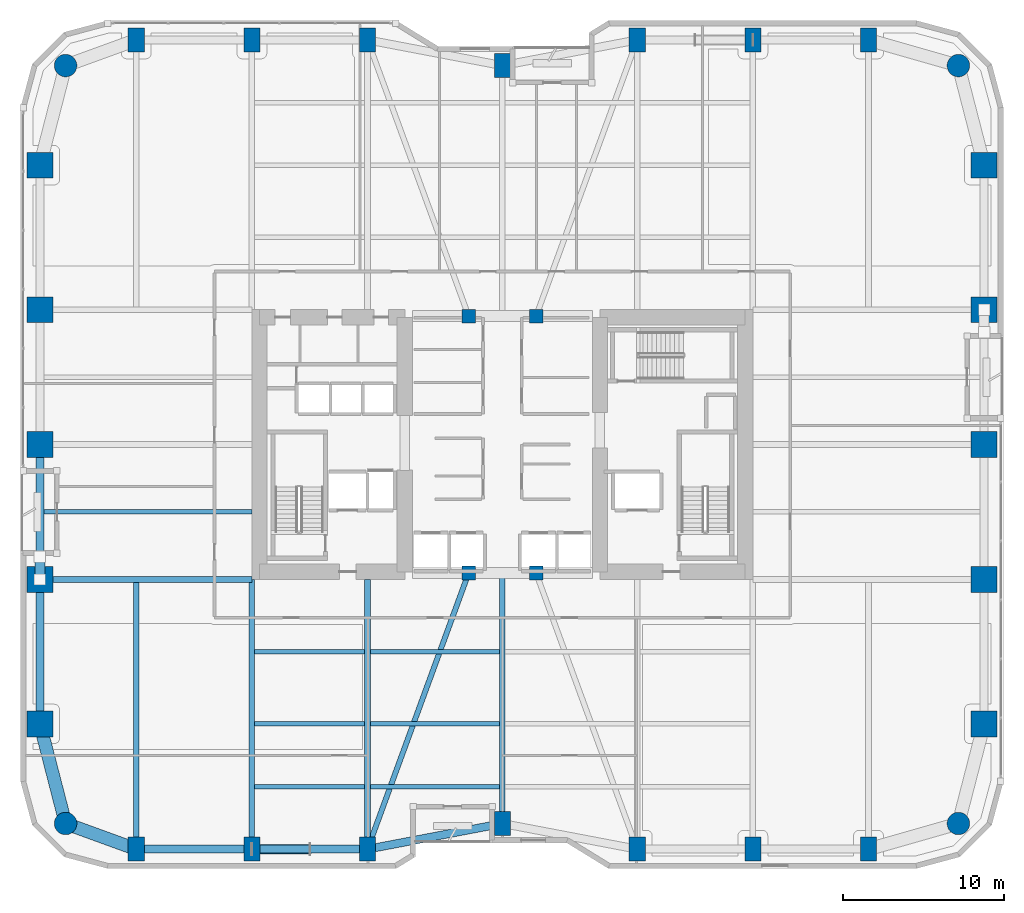
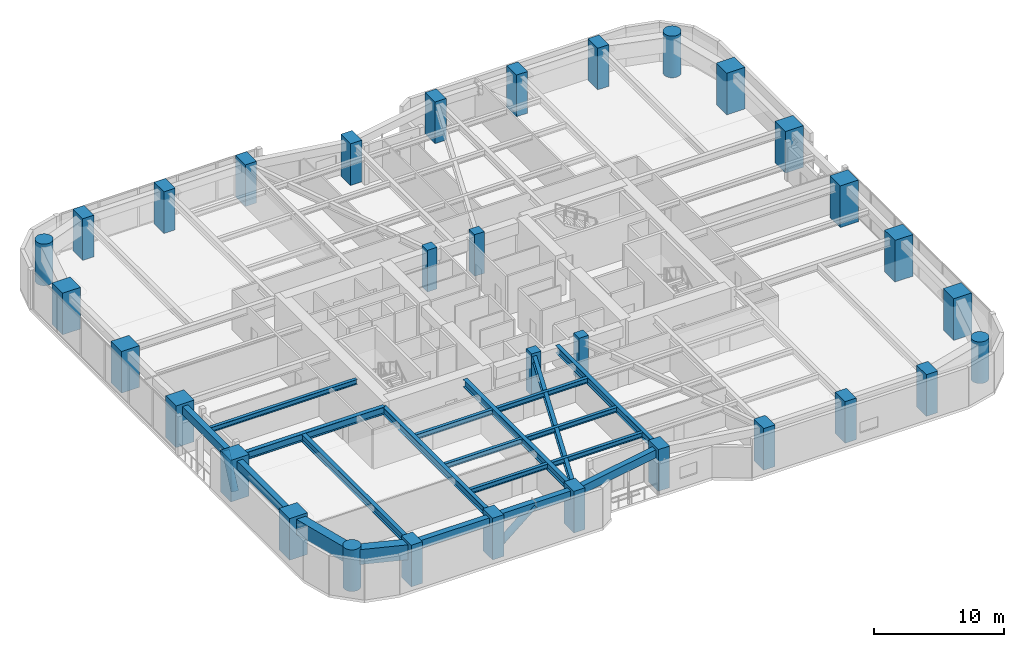
# One storey, part 1 of 28: 32 columns, 20 beams, 2 members.
"""IFC4 building model written with IfcOpenShell, lengths in metres."""

from ifc_helpers import new_model, si_unit, direction, frame, origin, origin_2d, place, context, subcontext, project, spatial, rectangle, circle, hollow_circle, i_section, extrude, material, material_profile, profile_set, type_object, element, save


model = new_model("IFC4")

# Units and contexts
model_context = context("Model", 3, precision=1e-05, world=origin(), true_north=direction((0.0, 1.0)))
body_context = subcontext(model_context, "Body", "Model", "MODEL_VIEW")
ifc_project = project(units=[si_unit("LENGTHUNIT", "METRE"), si_unit("AREAUNIT", "SQUARE_METRE"), si_unit("VOLUMEUNIT", "CUBIC_METRE"), si_unit("PLANEANGLEUNIT", "RADIAN"), si_unit("MASSUNIT", "GRAM", prefix="KILO")], contexts=[model_context])

# Site, building, storey
site_placement = place(None, origin())
site = spatial("IfcSite", under=ifc_project, at=site_placement, CompositionType="ELEMENT")
building_placement = place(site_placement, origin())
building = spatial("IfcBuilding", under=site, at=building_placement, Name="Kiyonajd Concourse Tower", CompositionType="ELEMENT")
storey_placement = place(building_placement, frame((0.0, 0.0, 33.300048828125)))
storey = spatial("IfcBuildingStorey", under=building, at=storey_placement, Name="L09", CompositionType="ELEMENT", Elevation=33.300048828125)

# Columns
ifc_material_1 = material(Name="Concrete C80/95", Category="concrete")
ifc_material_profile_1 = material_profile(ifc_material_1, rectangle(XDim=1.0, YDim=1.5, at=origin_2d()), Name="RC-1500x1000")
ifc_profile_set_1 = profile_set([ifc_material_profile_1], Name="Concrete C80/95")
column_type_1 = type_object("IfcColumnType", Name="CL-BLADE-1500", PredefinedType="COLUMN", material=ifc_profile_set_1)
for number, where, z_axis, x_axis, name in (
    (1, (25.199951171875, 10.800048828125, 0.0), (0.0, 0.0, 1.0), (1.0, 0.0, 0.0), "L09 Perimeter Bundled Tube Column"),
    (2, (25.199951171875, 61.199951171875, 0.0), (0.0, 0.0, 1.0), (1.0, 0.0, 0.0), "L09 Perimeter Bundled Tube Column"),
    (3, (32.39990234375, 10.800048828125, 0.0), (0.0, 0.0, 1.0), (1.0, 0.0, 0.0), "L09 Perimeter Bundled Tube Column"),
    (4, (32.39990234375, 61.199951171875, 0.0), (0.0, 0.0, 1.0), (1.0, 0.0, 0.0), "L09 Perimeter Bundled Tube Column"),
    (5, (39.60009765625, 10.800048828125, 0.0), (0.0, 0.0, 1.0), (1.0, 0.0, 0.0), "L09 Perimeter Bundled Tube Column"),
    (6, (39.60009765625, 61.199951171875, 0.0), (0.0, 0.0, 1.0), (1.0, 0.0, 0.0), "L09 Perimeter Bundled Tube Column"),
    (7, (48.0, 12.39990234375, 0.0), (0.0, 0.0, 1.0), (1.0, 0.0, 0.0), "L09 Perimeter Bundled Tube Column"),
    (8, (48.0, 59.60009765625, 0.0), (0.0, 0.0, 1.0), (1.0, 0.0, 0.0), "L09 Perimeter Bundled Tube Column"),
    (9, (56.39990234375, 10.800048828125, 0.0), (0.0, 0.0, 1.0), (1.0, 0.0, 0.0), "L09 Perimeter Bundled Tube Column"),
    (10, (56.39990234375, 61.199951171875, 0.0), (0.0, 0.0, 1.0), (1.0, 0.0, 0.0), "L09 Perimeter Bundled Tube Column"),
    (11, (63.60009765625, 10.800048828125, 0.0), (0.0, 0.0, 1.0), (1.0, 0.0, 0.0), "L09 Perimeter Bundled Tube Column"),
    (12, (63.60009765625, 61.199951171875, 0.0), (0.0, 0.0, 1.0), (1.0, 0.0, 0.0), "L09 Perimeter Bundled Tube Column"),
    (13, (70.800048828125, 10.800048828125, 0.0), (0.0, 0.0, 1.0), (1.0, 0.0, 0.0), "L09 Perimeter Bundled Tube Column"),
    (14, (70.800048828125, 61.199951171875, 0.0), (0.0, 0.0, 1.0), (1.0, 0.0, 0.0), "L09 Perimeter Bundled Tube Column"),
):
    element("IfcColumn", number, at=place(storey_placement, frame(where, z_axis=z_axis, x_axis=x_axis)), inside=storey, type_object=column_type_1, Name=name, PredefinedType="COLUMN", context=body_context, shape_type="SweptSolid", body=[
        extrude(rectangle(XDim=1.0, YDim=1.5, at=origin_2d()), origin(), (0.0, 0.0, 1.0), 3.89990234375),
    ])
ifc_material_profile_2 = material_profile(ifc_material_1, circle(Radius=0.699951171875, at=origin_2d()), Name="RCC-D1400")
ifc_profile_set_2 = profile_set([ifc_material_profile_2], Name="Concrete C80/95")
column_type_2 = type_object("IfcColumnType", Name="CL-RND-1400", PredefinedType="COLUMN", material=ifc_profile_set_2)
for number, where, z_axis, x_axis, name in (
    (15, (20.800048828125, 12.39990234375, 0.0), (0.0, 0.0, 1.0), (1.0, 0.0, 0.0), "L09 Bundled Tube Corner Column South West"),
    (16, (76.39990234375, 12.39990234375, 0.0), (0.0, 0.0, 1.0), (1.0, 0.0, 0.0), "L09 Bundled Tube Corner Column South East"),
    (17, (76.39990234375, 59.60009765625, 0.0), (0.0, 0.0, 1.0), (1.0, 0.0, 0.0), "L09 Bundled Tube Corner Column North East"),
    (18, (20.800048828125, 59.60009765625, 0.0), (0.0, 0.0, 1.0), (1.0, 0.0, 0.0), "L09 Bundled Tube Corner Column North West"),
):
    element("IfcColumn", number, at=place(storey_placement, frame(where, z_axis=z_axis, x_axis=x_axis)), inside=storey, type_object=column_type_2, Name=name, PredefinedType="COLUMN", context=body_context, shape_type="SweptSolid", body=[
        extrude(circle(Radius=0.699951171875, at=origin_2d()), origin(), (0.0, 0.0, 1.0), 3.89990234375),
    ])
ifc_material_profile_3 = material_profile(ifc_material_1, rectangle(XDim=1.60009765625, YDim=1.60009765625, at=origin_2d()), Name="RC-1600x1600")
ifc_profile_set_3 = profile_set([ifc_material_profile_3], Name="Concrete C80/95")
column_type_3 = type_object("IfcColumnType", Name="CL-TUBE-1600", PredefinedType="COLUMN", material=ifc_profile_set_3)
for number, where, z_axis, x_axis, name in (
    (19, (19.199951171875, 18.60009765625, 0.0), (0.0, 0.0, 1.0), (1.0, 0.0, 0.0), "L09 Perimeter Bundled Tube Column"),
    (20, (78.0, 18.60009765625, 0.0), (0.0, 0.0, 1.0), (1.0, 0.0, 0.0), "L09 Perimeter Bundled Tube Column"),
    (21, (19.199951171875, 27.60009765625, 0.0), (0.0, 0.0, 1.0), (1.0, 0.0, 0.0), "L09 Perimeter Bundled Tube Column"),
    (22, (78.0, 27.60009765625, 0.0), (0.0, 0.0, 1.0), (1.0, 0.0, 0.0), "L09 Perimeter Bundled Tube Column"),
    (23, (19.199951171875, 36.0, 0.0), (0.0, 0.0, 1.0), (1.0, 0.0, 0.0), "L09 Perimeter Bundled Tube Column"),
    (24, (78.0, 36.0, 0.0), (0.0, 0.0, 1.0), (1.0, 0.0, 0.0), "L09 Perimeter Bundled Tube Column"),
    (25, (19.199951171875, 44.39990234375, 0.0), (0.0, 0.0, 1.0), (1.0, 0.0, 0.0), "L09 Perimeter Bundled Tube Column"),
    (26, (78.0, 44.39990234375, 0.0), (0.0, 0.0, 1.0), (1.0, 0.0, 0.0), "L09 Perimeter Bundled Tube Column"),
    (27, (19.199951171875, 53.39990234375, 0.0), (0.0, 0.0, 1.0), (1.0, 0.0, 0.0), "L09 Perimeter Bundled Tube Column"),
    (28, (78.0, 53.39990234375, 0.0), (0.0, 0.0, 1.0), (1.0, 0.0, 0.0), "L09 Perimeter Bundled Tube Column"),
):
    element("IfcColumn", number, at=place(storey_placement, frame(where, z_axis=z_axis, x_axis=x_axis)), inside=storey, type_object=column_type_3, Name=name, PredefinedType="COLUMN", context=body_context, shape_type="SweptSolid", body=[
        extrude(rectangle(XDim=1.60009765625, YDim=1.60009765625, at=origin_2d()), origin(), (0.0, 0.0, 1.0), 3.89990234375),
    ])
ifc_material_2 = material(Name="Concrete C60/75", Category="concrete")
ifc_material_profile_4 = material_profile(ifc_material_2, rectangle(XDim=0.85009765625, YDim=0.85009765625, at=origin_2d()), Name="RC-850x850")
ifc_profile_set_4 = profile_set([ifc_material_profile_4], Name="Concrete C60/75")
column_type_4 = type_object("IfcColumnType", Name="CL-TUBE-850", PredefinedType="COLUMN", material=ifc_profile_set_4)
for number, where, z_axis, x_axis, name in (
    (29, (45.89990234375, 28.0, 0.0), (0.0, 0.0, 1.0), (1.0, 0.0, 0.0), "L09 Core Tie Column South West"),
    (30, (50.10009765625, 28.0, 0.0), (0.0, 0.0, 1.0), (1.0, 0.0, 0.0), "L09 Core Tie Column South East"),
    (31, (45.89990234375, 44.0, 0.0), (0.0, 0.0, 1.0), (1.0, 0.0, 0.0), "L09 Core Tie Column North West"),
    (32, (50.10009765625, 44.0, 0.0), (0.0, 0.0, 1.0), (1.0, 0.0, 0.0), "L09 Core Tie Column North East"),
):
    element("IfcColumn", number, at=place(storey_placement, frame(where, z_axis=z_axis, x_axis=x_axis)), inside=storey, type_object=column_type_4, Name=name, PredefinedType="COLUMN", context=body_context, shape_type="SweptSolid", body=[
        extrude(rectangle(XDim=0.85009765625, YDim=0.85009765625, at=origin_2d()), origin(), (0.0, 0.0, 1.0), 3.89990234375),
    ])

# Beams
ifc_material_3 = material(Name="Steel ASTM A992 Grade 50", Category="steel")
ifc_material_profile_5 = material_profile(ifc_material_3, i_section(OverallWidth=0.280029296875, OverallDepth=0.462890625, WebThickness=0.0107421875, FlangeThickness=0.017333984375, at=origin_2d()), Name="W460X113")
ifc_profile_set_5 = profile_set([ifc_material_profile_5], Name="Steel ASTM A992 Grade 50")
beam_type_1 = type_object("IfcBeamType", Name="BM-JST-460A", PredefinedType="JOIST", material=ifc_profile_set_5)
beam_1_placement = place(storey_placement, frame((32.577392578125, 14.699951171875, 3.408447265625), z_axis=(1.0, 0.0, 0.0), x_axis=(0.0, 1.0, 0.0)))
element("IfcBeam", 33, at=beam_1_placement, inside=storey, type_object=beam_type_1, Name="L09 Secondary Floor Joist", PredefinedType="JOIST", context=body_context, shape_type="SweptSolid", body=[
    extrude(i_section(OverallWidth=0.280029296875, OverallDepth=0.462890625, WebThickness=0.0107421875, FlangeThickness=0.017333984375, at=origin_2d()), origin(), (0.0, 0.0, 1.0), 6.84521484375),
])
beam_2_placement = place(storey_placement, frame((39.777587890625, 14.699951171875, 3.408447265625), z_axis=(1.0, 0.0, 0.0), x_axis=(0.0, 1.0, 0.0)))
element("IfcBeam", 34, at=beam_2_placement, inside=storey, type_object=beam_type_1, Name="L09 Secondary Floor Joist", PredefinedType="JOIST", context=body_context, shape_type="SweptSolid", body=[
    extrude(i_section(OverallWidth=0.280029296875, OverallDepth=0.462890625, WebThickness=0.0107421875, FlangeThickness=0.017333984375, at=origin_2d()), origin(), (0.0, 0.0, 1.0), 8.044921875),
])
beam_3_placement = place(storey_placement, frame((32.577392578125, 18.60009765625, 3.408447265625), z_axis=(1.0, 0.0, 0.0), x_axis=(0.0, 1.0, 0.0)))
element("IfcBeam", 35, at=beam_3_placement, inside=storey, type_object=beam_type_1, Name="L09 Secondary Floor Joist", PredefinedType="JOIST", context=body_context, shape_type="SweptSolid", body=[
    extrude(i_section(OverallWidth=0.280029296875, OverallDepth=0.462890625, WebThickness=0.0107421875, FlangeThickness=0.017333984375, at=origin_2d()), origin(), (0.0, 0.0, 1.0), 6.84521484375),
])
beam_4_placement = place(storey_placement, frame((39.777587890625, 18.60009765625, 3.408447265625), z_axis=(1.0, 0.0, 0.0), x_axis=(0.0, 1.0, 0.0)))
element("IfcBeam", 36, at=beam_4_placement, inside=storey, type_object=beam_type_1, Name="L09 Secondary Floor Joist", PredefinedType="JOIST", context=body_context, shape_type="SweptSolid", body=[
    extrude(i_section(OverallWidth=0.280029296875, OverallDepth=0.462890625, WebThickness=0.0107421875, FlangeThickness=0.017333984375, at=origin_2d()), origin(), (0.0, 0.0, 1.0), 8.044921875),
])
beam_5_placement = place(storey_placement, frame((32.577392578125, 23.10009765625, 3.408447265625), z_axis=(1.0, 0.0, 0.0), x_axis=(0.0, 1.0, 0.0)))
element("IfcBeam", 37, at=beam_5_placement, inside=storey, type_object=beam_type_1, Name="L09 Secondary Floor Joist", PredefinedType="JOIST", context=body_context, shape_type="SweptSolid", body=[
    extrude(i_section(OverallWidth=0.280029296875, OverallDepth=0.462890625, WebThickness=0.0107421875, FlangeThickness=0.017333984375, at=origin_2d()), origin(), (0.0, 0.0, 1.0), 6.84521484375),
])
beam_6_placement = place(storey_placement, frame((39.777587890625, 23.10009765625, 3.408447265625), z_axis=(1.0, 0.0, 0.0), x_axis=(0.0, 1.0, 0.0)))
element("IfcBeam", 38, at=beam_6_placement, inside=storey, type_object=beam_type_1, Name="L09 Secondary Floor Joist", PredefinedType="JOIST", context=body_context, shape_type="SweptSolid", body=[
    extrude(i_section(OverallWidth=0.280029296875, OverallDepth=0.462890625, WebThickness=0.0107421875, FlangeThickness=0.017333984375, at=origin_2d()), origin(), (0.0, 0.0, 1.0), 8.044921875),
])
beam_7_placement = place(storey_placement, frame((19.449951171875, 31.800048828125, 3.408447265625), z_axis=(1.0, 0.0, 0.0), x_axis=(0.0, 1.0, 0.0)))
element("IfcBeam", 39, at=beam_7_placement, inside=storey, type_object=beam_type_1, Name="L09 West Secondary Floor Joist", PredefinedType="JOIST", context=body_context, shape_type="SweptSolid", body=[
    extrude(i_section(OverallWidth=0.280029296875, OverallDepth=0.462890625, WebThickness=0.0107421875, FlangeThickness=0.017333984375, at=origin_2d()), origin(), (0.0, 0.0, 1.0), 12.949951171875),
])
ifc_material_4 = material(Name="Precast concrete C50/60", Category="concrete")
ifc_material_profile_6 = material_profile(ifc_material_4, rectangle(XDim=0.5, YDim=0.75, at=origin_2d()), Name="RCBM-500x750")
ifc_profile_set_6 = profile_set([ifc_material_profile_6], Name="Precast concrete C50/60")
beam_type_2 = type_object("IfcBeamType", Name="BM-SPAN-RC", PredefinedType="SPANDREL", material=ifc_profile_set_6)
beam_8_placement = place(storey_placement, frame((19.199951171875, 27.60009765625, 3.264892578125), z_axis=(0.0, -1.0, 0.0), x_axis=(1.0, 0.0, 0.0)))
element("IfcBeam", 40, at=beam_8_placement, inside=storey, type_object=beam_type_2, Name="L09 Perimeter Bundled Tube Spandrel", PredefinedType="SPANDREL", context=body_context, shape_type="SweptSolid", body=[
    extrude(rectangle(XDim=0.5, YDim=0.75, at=origin_2d()), origin(), (0.0, 0.0, 1.0), 9.0),
])
beam_9_placement = place(storey_placement, frame((25.199951171875, 10.800048828125, 3.264892578125), z_axis=(1.0, 0.0, 0.0), x_axis=(0.0, 1.0, 0.0)))
element("IfcBeam", 41, at=beam_9_placement, inside=storey, type_object=beam_type_2, Name="L09 Perimeter Bundled Tube Spandrel", PredefinedType="SPANDREL", context=body_context, shape_type="SweptSolid", body=[
    extrude(rectangle(XDim=0.5, YDim=0.75, at=origin_2d()), origin(), (0.0, 0.0, 1.0), 7.199951171875),
])
beam_10_placement = place(storey_placement, frame((32.39990234375, 10.800048828125, 3.264892578125), z_axis=(1.0, 0.0, 0.0), x_axis=(0.0, 1.0, 0.0)))
element("IfcBeam", 42, at=beam_10_placement, inside=storey, type_object=beam_type_2, Name="L09 Perimeter Bundled Tube Spandrel", PredefinedType="SPANDREL", context=body_context, shape_type="SweptSolid", body=[
    extrude(rectangle(XDim=0.5, YDim=0.75, at=origin_2d()), origin(), (0.0, 0.0, 1.0), 7.2001953125),
])
beam_11_placement = place(storey_placement, frame((39.60009765625, 10.800048828125, 3.264892578125), z_axis=(0.982341315253, 0.187097675953, 0.0), x_axis=(-0.187097675953, 0.982341315253, 0.0)))
element("IfcBeam", 43, at=beam_11_placement, inside=storey, type_object=beam_type_2, Name="L09 Perimeter Bundled Tube Spandrel", PredefinedType="SPANDREL", context=body_context, shape_type="SweptSolid", body=[
    extrude(rectangle(XDim=0.5, YDim=0.75, at=origin_2d()), origin(), (0.0, 0.0, 1.0), 8.55078125),
])
beam_12_placement = place(storey_placement, frame((19.199951171875, 36.0, 3.264892578125), z_axis=(0.0, -1.0, 0.0), x_axis=(1.0, 0.0, 0.0)))
element("IfcBeam", 44, at=beam_12_placement, inside=storey, type_object=beam_type_2, Name="L09 Perimeter Bundled Tube Spandrel", PredefinedType="SPANDREL", context=body_context, shape_type="SweptSolid", body=[
    extrude(rectangle(XDim=0.5, YDim=0.75, at=origin_2d()), origin(), (0.0, 0.0, 1.0), 8.39990234375),
])
ifc_material_profile_7 = material_profile(ifc_material_3, i_section(OverallWidth=0.326904296875, OverallDepth=0.6220703125, WebThickness=0.015380859375, FlangeThickness=0.0244140625, at=origin_2d()), Name="W610X195")
ifc_profile_set_7 = profile_set([ifc_material_profile_7], Name="Steel ASTM A992 Grade 50")
beam_type_3 = type_object("IfcBeamType", Name="BM-TWR-610A", PredefinedType="BEAM", material=ifc_profile_set_7)
beam_13_placement = place(storey_placement, frame((39.60009765625, 10.800048828125, 3.328857421875), z_axis=(0.343925269715, 0.938997022813, 0.0), x_axis=(-0.938997022813, 0.343925269715, 0.0)))
element("IfcBeam", 45, at=beam_13_placement, inside=storey, type_object=beam_type_3, Name="L09 Core Tie Girder", PredefinedType="BEAM", context=body_context, shape_type="SweptSolid", body=[
    extrude(i_section(OverallWidth=0.326904296875, OverallDepth=0.6220703125, WebThickness=0.015380859375, FlangeThickness=0.0244140625, at=origin_2d()), origin(), (0.0, 0.0, 1.0), 18.3173828125),
])
ifc_material_profile_8 = material_profile(ifc_material_3, i_section(OverallWidth=0.35498046875, OverallDepth=0.695068359375, WebThickness=0.015380859375, FlangeThickness=0.02490234375, at=origin_2d()), Name="W690X217")
ifc_profile_set_8 = profile_set([ifc_material_profile_8], Name="Steel ASTM A992 Grade 50")
beam_type_4 = type_object("IfcBeamType", Name="BM-TWR-690", PredefinedType="BEAM", material=ifc_profile_set_8)
for number, where, z_axis, x_axis, name in (
    (46, (25.199951171875, 10.800048828125, 3.29248046875), (0.0, 1.0, 0.0), (-1.0, 0.0, 0.0), "L09 South Lease Girder"),
    (47, (32.39990234375, 10.800048828125, 3.29248046875), (0.0, 1.0, 0.0), (-1.0, 0.0, 0.0), "L09 South Lease Girder"),
    (48, (39.60009765625, 10.800048828125, 3.29248046875), (0.0, 1.0, 0.0), (-1.0, 0.0, 0.0), "L09 South Lease Girder"),
):
    element("IfcBeam", number, at=place(storey_placement, frame(where, z_axis=z_axis, x_axis=x_axis)), inside=storey, type_object=beam_type_4, Name=name, PredefinedType="BEAM", context=body_context, shape_type="SweptSolid", body=[
        extrude(i_section(OverallWidth=0.35498046875, OverallDepth=0.695068359375, WebThickness=0.015380859375, FlangeThickness=0.02490234375, at=origin_2d()), origin(), (0.0, 0.0, 1.0), 16.800048828125),
    ])
beam_14_placement = place(storey_placement, frame((48.0, 12.39990234375, 3.29248046875), z_axis=(0.0, 1.0, 0.0), x_axis=(-1.0, 0.0, 0.0)))
element("IfcBeam", 49, at=beam_14_placement, inside=storey, type_object=beam_type_4, Name="L09 South Ribbon Girder", PredefinedType="BEAM", context=body_context, shape_type="SweptSolid", body=[
    extrude(i_section(OverallWidth=0.35498046875, OverallDepth=0.695068359375, WebThickness=0.015380859375, FlangeThickness=0.02490234375, at=origin_2d()), origin(), (0.0, 0.0, 1.0), 15.60009765625),
])
beam_15_placement = place(storey_placement, frame((19.199951171875, 27.60009765625, 3.29248046875), z_axis=(1.0, 0.0, 0.0), x_axis=(0.0, 1.0, 0.0)))
element("IfcBeam", 50, at=beam_15_placement, inside=storey, type_object=beam_type_4, Name="L09 West Lease Girder", PredefinedType="BEAM", context=body_context, shape_type="SweptSolid", body=[
    extrude(i_section(OverallWidth=0.35498046875, OverallDepth=0.695068359375, WebThickness=0.015380859375, FlangeThickness=0.02490234375, at=origin_2d()), origin(), (0.0, 0.0, 1.0), 13.199951171875),
])
ifc_material_profile_9 = material_profile(ifc_material_2, rectangle(XDim=0.800048828125, YDim=1.39990234375, at=origin_2d()), Name="RCBM-800x1400")
ifc_profile_set_9 = profile_set([ifc_material_profile_9], Name="Concrete C60/75")
beam_type_5 = type_object("IfcBeamType", Name="BM-XFER-RC", PredefinedType="BEAM", material=ifc_profile_set_9)
beam_16_placement = place(storey_placement, frame((19.199951171875, 18.60009765625, 2.93994140625), z_axis=(0.249884937687, -0.968275538221, 0.0), x_axis=(0.968275538221, 0.249884937687, 0.0)))
element("IfcBeam", 51, at=beam_16_placement, inside=storey, type_object=beam_type_5, Name="L09 Perimeter Bundled Tube Spandrel", PredefinedType="BEAM", context=body_context, shape_type="SweptSolid", body=[
    extrude(rectangle(XDim=0.800048828125, YDim=1.39990234375, at=origin_2d()), origin(), (0.0, 0.0, 1.0), 6.4033203125),
])
beam_17_placement = place(storey_placement, frame((20.800048828125, 12.39990234375, 2.93994140625), z_axis=(0.939801036019, -0.341722127901, 0.0), x_axis=(0.341722127901, 0.939801036019, 0.0)))
element("IfcBeam", 52, at=beam_17_placement, inside=storey, type_object=beam_type_5, Name="L09 Perimeter Bundled Tube Spandrel", PredefinedType="BEAM", context=body_context, shape_type="SweptSolid", body=[
    extrude(rectangle(XDim=0.800048828125, YDim=1.39990234375, at=origin_2d()), origin(), (0.0, 0.0, 1.0), 4.681640625),
])

# Members
ifc_material_5 = material(Name="Steel ASTM A572 Grade 50", Category="steel")
ifc_material_profile_10 = material_profile(ifc_material_5, hollow_circle(Radius=0.304931640625, WallThickness=0.02490234375, at=origin_2d()), Name="CHS-610x25")
ifc_profile_set_10 = profile_set([ifc_material_profile_10], Name="Steel ASTM A572 Grade 50")
member_type = type_object("IfcMemberType", Name="MB-PB-LOW", PredefinedType="BRACE", material=ifc_profile_set_10)
member_1_placement = place(storey_placement, frame((32.39990234375, 10.800048828125, 0.300048828125), z_axis=(0.769280705518, 0.0, 0.638910945373), x_axis=(0.0, 1.0, 0.0)))
element("IfcMember", 53, at=member_1_placement, inside=storey, type_object=member_type, Name="L09 Lower Zone Welded Tube Brace PBS", PredefinedType="BRACE", context=body_context, shape_type="SweptSolid", body=[
    extrude(hollow_circle(Radius=0.304931640625, WallThickness=0.02490234375, at=origin_2d()), origin(), (0.0, 0.0, 1.0), 4.679931640625),
])
member_2_placement = place(storey_placement, frame((19.199951171875, 27.60009765625, 0.300048828125), z_axis=(0.0, 0.424022702926, 0.905651559598), x_axis=(-1.0, 0.0, 0.0)))
element("IfcMember", 54, at=member_2_placement, inside=storey, type_object=member_type, Name="L09 Lower Zone Welded Tube Brace PBW", PredefinedType="BRACE", context=body_context, shape_type="SweptSolid", body=[
    extrude(hollow_circle(Radius=0.304931640625, WallThickness=0.02490234375, at=origin_2d()), origin(), (0.0, 0.0, 1.0), 3.301513671875),
])

save(model, "model.ifc")
